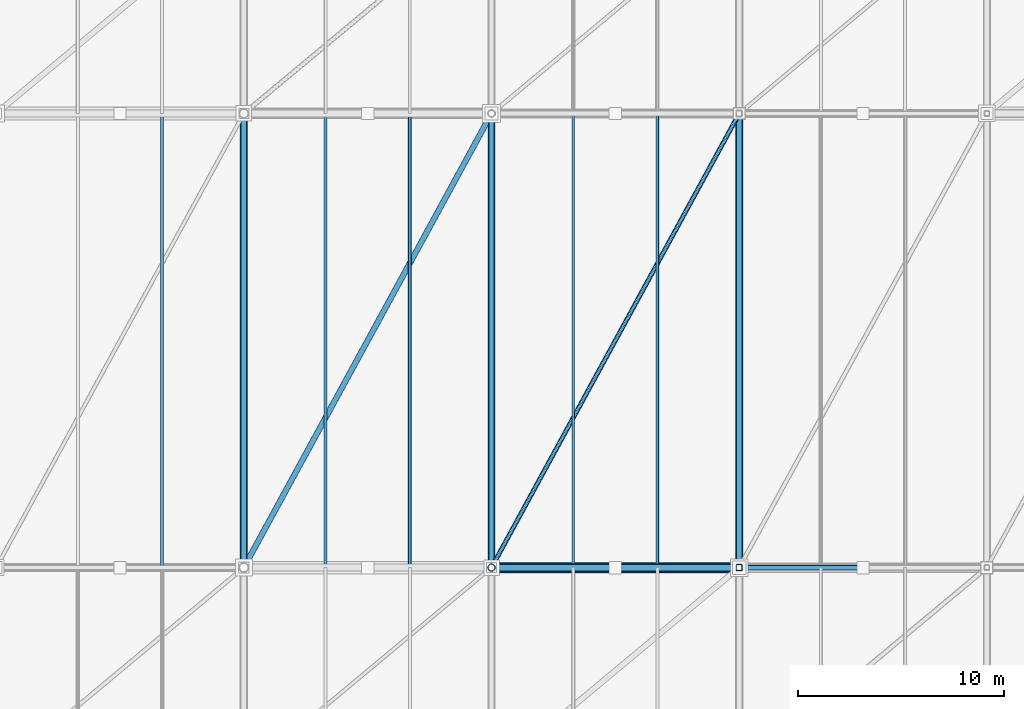
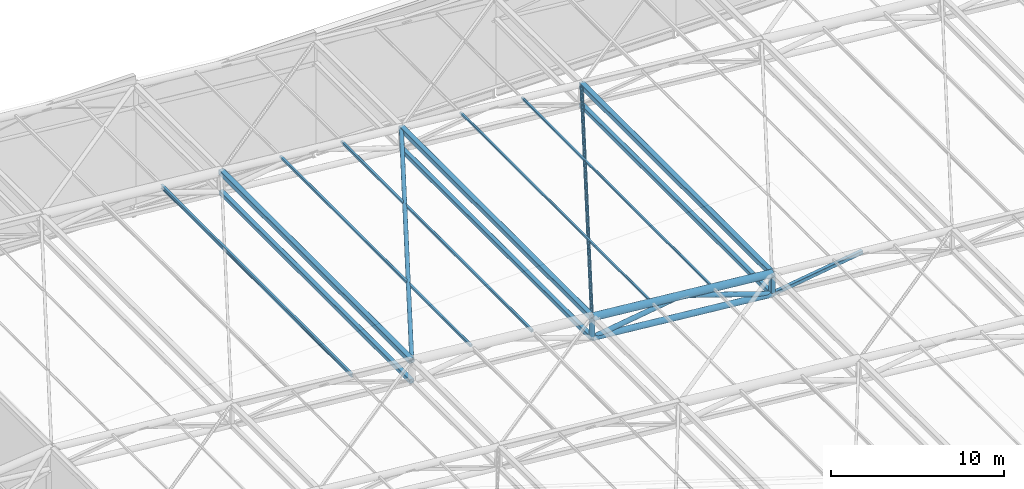
# One storey, part 29 of 44: 20 members.
"""IFC4 building model written with IfcOpenShell, lengths in metres."""

from ifc_helpers import new_model, si_unit, direction, frame, origin, origin_2d, place, context, subcontext, project, spatial, hollow_rectangle, hollow_circle, i_section, extrude, material, material_profile, profile_set, type_object, element, save


model = new_model("IFC4")

# Units and contexts
model_context = context("Model", 3, precision=1e-05, world=origin(), true_north=direction((0.0, 1.0)))
body_context = subcontext(model_context, "Body", "Model", "MODEL_VIEW")
ifc_project = project(units=[si_unit("LENGTHUNIT", "METRE"), si_unit("AREAUNIT", "SQUARE_METRE"), si_unit("VOLUMEUNIT", "CUBIC_METRE"), si_unit("PLANEANGLEUNIT", "RADIAN"), si_unit("MASSUNIT", "GRAM", prefix="KILO")], contexts=[model_context])

# Site, building, storey
site_placement = place(None, origin())
site = spatial("IfcSite", under=ifc_project, at=site_placement, CompositionType="ELEMENT")
building_placement = place(site_placement, origin())
building = spatial("IfcBuilding", under=site, at=building_placement, Name="Brinegate Civic Arena", CompositionType="ELEMENT")
storey_placement = place(building_placement, frame((0.0, 0.0, 29.39990234375)))
storey = spatial("IfcBuildingStorey", under=building, at=storey_placement, Name="RF", CompositionType="ELEMENT", Elevation=29.39990234375)

# Members
ifc_material = material(Name="Steel S355", Category="steel")
ifc_material_profile_1 = material_profile(ifc_material, hollow_rectangle(XDim=0.139892578125, YDim=0.139892578125, WallThickness=0.008056640625, InnerFilletRadius=0.008056640625, OuterFilletRadius=0.01611328125, at=origin_2d()), Name="SHS140X8")
ifc_profile_set_1 = profile_set([ifc_material_profile_1], Name="Steel S355")
member_type_1 = type_object("IfcMemberType", Name="RF-PURLIN-SHS140", PredefinedType="PURLIN", material=ifc_profile_set_1)
for number, where, z_axis, x_axis, name in (
    (1, (99.9599609375, 82.0, 6.84912109375), (0.0, 1.0, 0.0), (-1.0, 0.0, 0.0), "Roof Purlin RFP-099"),
    (2, (104.0400390625, 82.0, 6.466064453125), (0.0, 1.0, 0.0), (-1.0, 0.0, 0.0), "Roof Purlin RFP-100"),
):
    element("IfcMember", number, at=place(storey_placement, frame(where, z_axis=z_axis, x_axis=x_axis)), inside=storey, type_object=member_type_1, Name=name, PredefinedType="PURLIN", context=body_context, shape_type="SweptSolid", body=[
        extrude(hollow_rectangle(XDim=0.139892578125, YDim=0.139892578125, WallThickness=0.008056640625, InnerFilletRadius=0.008056640625, OuterFilletRadius=0.01611328125, at=origin_2d()), origin(), (0.0, 0.0, 1.0), 22.0),
    ])
ifc_material_profile_2 = material_profile(ifc_material, hollow_rectangle(XDim=0.159912109375, YDim=0.159912109375, WallThickness=0.008056640625, InnerFilletRadius=0.008056640625, OuterFilletRadius=0.01611328125, at=origin_2d()), Name="SHS160X8")
ifc_profile_set_2 = profile_set([ifc_material_profile_2], Name="Steel S355")
member_type_2 = type_object("IfcMemberType", Name="RF-PURLIN-SHS160", PredefinedType="PURLIN", material=ifc_profile_set_2)
for number, where, z_axis, x_axis, name in (
    (3, (87.9599609375, 82.0, 7.964111328125), (0.0, 1.0, 0.0), (-1.0, 0.0, 0.0), "Roof Purlin RFP-097"),
    (4, (92.0400390625, 82.0, 7.5810546875), (0.0, 1.0, 0.0), (-1.0, 0.0, 0.0), "Roof Purlin RFP-098"),
):
    element("IfcMember", number, at=place(storey_placement, frame(where, z_axis=z_axis, x_axis=x_axis)), inside=storey, type_object=member_type_2, Name=name, PredefinedType="PURLIN", context=body_context, shape_type="SweptSolid", body=[
        extrude(hollow_rectangle(XDim=0.159912109375, YDim=0.159912109375, WallThickness=0.008056640625, InnerFilletRadius=0.008056640625, OuterFilletRadius=0.01611328125, at=origin_2d()), origin(), (0.0, 0.0, 1.0), 22.0),
    ])
ifc_material_profile_3 = material_profile(ifc_material, i_section(OverallWidth=0.14794921875, OverallDepth=0.26611328125, WebThickness=0.008056640625, FlangeThickness=0.012939453125, FilletRadius=0.011962890625, at=origin_2d()), Name="W250X45")
ifc_profile_set_3 = profile_set([ifc_material_profile_3], Name="Steel S355")
member_type_3 = type_object("IfcMemberType", Name="RF-PURLIN-W250", PredefinedType="PURLIN", material=ifc_profile_set_3)
member_1_placement = place(storey_placement, frame((80.0400390625, 82.0, 8.653076171875), z_axis=(0.0, 1.0, 0.0), x_axis=(-1.0, 0.0, 0.0)))
element("IfcMember", 5, at=member_1_placement, inside=storey, type_object=member_type_3, Name="Roof Purlin RFP-096", PredefinedType="PURLIN", context=body_context, shape_type="SweptSolid", body=[
    extrude(i_section(OverallWidth=0.14794921875, OverallDepth=0.26611328125, WebThickness=0.008056640625, FlangeThickness=0.012939453125, FilletRadius=0.011962890625, at=origin_2d()), origin(), (0.0, 0.0, 1.0), 22.0),
])
ifc_material_profile_4 = material_profile(ifc_material, hollow_circle(Radius=0.109619140625, WallThickness=0.010009765625, at=origin_2d()), Name="CHS219X10")
ifc_profile_set_4 = profile_set([ifc_material_profile_4], Name="Steel S355")
member_type_4 = type_object("IfcMemberType", Name="SF-BRACE-CHS219", PredefinedType="BRACE", material=ifc_profile_set_4)
member_2_placement = place(storey_placement, frame((96.0, 82.0, 7.175048828125), z_axis=(0.478370337109, 0.877012284699, -0.044847219104), x_axis=(-0.877895572914, 0.478852130681, 0.0)))
element("IfcMember", 6, at=member_2_placement, inside=storey, type_object=member_type_4, Name="Roof Plan Diagonal Brace PL-6-5", PredefinedType="BRACE", context=body_context, shape_type="SweptSolid", body=[
    extrude(hollow_circle(Radius=0.109619140625, WallThickness=0.010009765625, at=origin_2d()), origin(), (0.0, 0.0, 1.0), 25.085205078125),
])
ifc_material_profile_5 = material_profile(ifc_material, hollow_circle(Radius=0.136474609375, WallThickness=0.011962890625, at=origin_2d()), Name="CHS273X12")
ifc_profile_set_5 = profile_set([ifc_material_profile_5], Name="Steel S355")
member_type_5 = type_object("IfcMemberType", Name="SF-BRACE-CHS273", PredefinedType="BRACE", material=ifc_profile_set_5)
member_3_placement = place(storey_placement, frame((84.0, 82.0, 8.300048828125), z_axis=(0.478370337109, 0.877012284699, -0.044847219104), x_axis=(-0.877895572914, 0.478852130681, 0.0)))
element("IfcMember", 7, at=member_3_placement, inside=storey, type_object=member_type_5, Name="Roof Plan Diagonal Brace PL-6-4", PredefinedType="BRACE", context=body_context, shape_type="SweptSolid", body=[
    extrude(hollow_circle(Radius=0.136474609375, WallThickness=0.011962890625, at=origin_2d()), origin(), (0.0, 0.0, 1.0), 25.085205078125),
])
ifc_material_profile_6 = material_profile(ifc_material, hollow_circle(Radius=0.162109375, WallThickness=0.011962890625, at=origin_2d()), Name="CHS324X12")
ifc_profile_set_6 = profile_set([ifc_material_profile_6], Name="Steel S355")
member_type_6 = type_object("IfcMemberType", Name="SF-BRACE-CHS324", PredefinedType="BRACE", material=ifc_profile_set_6)
member_4_placement = place(storey_placement, frame((96.0, 82.0, 5.72509765625), z_axis=(0.989226142737, 0.0, 0.1463954867), x_axis=(0.0, 1.0, 0.0)))
element("IfcMember", 8, at=member_4_placement, inside=storey, type_object=member_type_6, Name="Space Frame Web Brace D1-6-5", PredefinedType="BRACE", context=body_context, shape_type="SweptSolid", body=[
    extrude(hollow_circle(Radius=0.162109375, WallThickness=0.011962890625, at=origin_2d()), origin(), (0.0, 0.0, 1.0), 6.0654296875),
])
member_5_placement = place(storey_placement, frame((102.0, 82.0, 6.613037109375), z_axis=(0.948068139281, 0.0, -0.318067293635), x_axis=(0.0, 1.0, 0.0)))
element("IfcMember", 9, at=member_5_placement, inside=storey, type_object=member_type_6, Name="Space Frame Web Brace D2-6-5", PredefinedType="BRACE", context=body_context, shape_type="SweptSolid", body=[
    extrude(hollow_circle(Radius=0.162109375, WallThickness=0.011962890625, at=origin_2d()), origin(), (0.0, 0.0, 1.0), 6.32861328125),
])
ifc_material_profile_7 = material_profile(ifc_material, hollow_rectangle(XDim=0.25, YDim=0.25, WallThickness=0.011962890625, InnerFilletRadius=0.011962890625, OuterFilletRadius=0.02392578125, at=origin_2d()), Name="SHS250X12")
ifc_profile_set_7 = profile_set([ifc_material_profile_7], Name="Steel S355")
member_type_7 = type_object("IfcMemberType", Name="SF-BRACE-SHS250", PredefinedType="BRACE", material=ifc_profile_set_7)
member_6_placement = place(storey_placement, frame((108.0, 82.0, 4.60009765625), z_axis=(0.989226142737, 0.0, 0.1463954867), x_axis=(0.0, 1.0, 0.0)))
element("IfcMember", 10, at=member_6_placement, inside=storey, type_object=member_type_7, Name="Space Frame Web Brace D1-6-6", PredefinedType="BRACE", context=body_context, shape_type="SweptSolid", body=[
    extrude(hollow_rectangle(XDim=0.25, YDim=0.25, WallThickness=0.011962890625, InnerFilletRadius=0.011962890625, OuterFilletRadius=0.02392578125, at=origin_2d()), origin(), (0.0, 0.0, 1.0), 6.0654296875),
])
ifc_material_profile_8 = material_profile(ifc_material, hollow_circle(Radius=0.202880859375, WallThickness=0.01611328125, at=origin_2d()), Name="CHS406X16")
ifc_profile_set_8 = profile_set([ifc_material_profile_8], Name="Steel S355")
member_type_8 = type_object("IfcMemberType", Name="SF-CHORD-CHS406", PredefinedType="CHORD", material=ifc_profile_set_8)
member_7_placement = place(storey_placement, frame((96.0, 82.0, 5.72509765625), z_axis=(0.995634226059, 0.0, -0.093340708693), x_axis=(0.0, 1.0, 0.0)))
element("IfcMember", 11, at=member_7_placement, inside=storey, type_object=member_type_8, Name="Space Frame Bottom Chord BX-6-5", PredefinedType="CHORD", context=body_context, shape_type="SweptSolid", body=[
    extrude(hollow_circle(Radius=0.202880859375, WallThickness=0.01611328125, at=origin_2d()), origin(), (0.0, 0.0, 1.0), 12.052734375),
])
ifc_material_profile_9 = material_profile(ifc_material, hollow_circle(Radius=0.25390625, WallThickness=0.02001953125, at=origin_2d()), Name="CHS508X20")
ifc_profile_set_9 = profile_set([ifc_material_profile_9], Name="Steel S355")
member_type_9 = type_object("IfcMemberType", Name="SF-CHORD-CHS508", PredefinedType="CHORD", material=ifc_profile_set_9)
member_8_placement = place(storey_placement, frame((96.0, 82.0, 7.175048828125), z_axis=(0.995634226059, 0.0, -0.093340708693), x_axis=(0.0, 1.0, 0.0)))
element("IfcMember", 12, at=member_8_placement, inside=storey, type_object=member_type_9, Name="Space Frame Top Chord TX-6-5", PredefinedType="CHORD", context=body_context, shape_type="SweptSolid", body=[
    extrude(hollow_circle(Radius=0.25390625, WallThickness=0.02001953125, at=origin_2d()), origin(), (0.0, 0.0, 1.0), 12.052734375),
])
ifc_material_profile_10 = material_profile(ifc_material, hollow_rectangle(XDim=0.300048828125, YDim=0.300048828125, WallThickness=0.01611328125, InnerFilletRadius=0.01611328125, OuterFilletRadius=0.031982421875, at=origin_2d()), Name="SHS300X16")
ifc_profile_set_10 = profile_set([ifc_material_profile_10], Name="Steel S355")
member_type_10 = type_object("IfcMemberType", Name="SF-CHORD-SHS300", PredefinedType="CHORD", material=ifc_profile_set_10)
for number, where, z_axis, x_axis, name in (
    (13, (84.0, 82.0, 6.85009765625), (0.0, 1.0, 0.0), (-1.0, 0.0, 0.0), "Space Frame Cross Bottom Chord BY-6-4"),
    (14, (96.0, 82.0, 5.72509765625), (0.0, 1.0, 0.0), (-1.0, 0.0, 0.0), "Space Frame Cross Bottom Chord BY-6-5"),
    (15, (108.0, 82.0, 4.60009765625), (0.0, 1.0, 0.0), (-1.0, 0.0, 0.0), "Space Frame Cross Bottom Chord BY-6-6"),
):
    element("IfcMember", number, at=place(storey_placement, frame(where, z_axis=z_axis, x_axis=x_axis)), inside=storey, type_object=member_type_10, Name=name, PredefinedType="CHORD", context=body_context, shape_type="SweptSolid", body=[
        extrude(hollow_rectangle(XDim=0.300048828125, YDim=0.300048828125, WallThickness=0.01611328125, InnerFilletRadius=0.01611328125, OuterFilletRadius=0.031982421875, at=origin_2d()), origin(), (0.0, 0.0, 1.0), 22.0),
    ])
ifc_material_profile_11 = material_profile(ifc_material, hollow_rectangle(XDim=0.35009765625, YDim=0.35009765625, WallThickness=0.01611328125, InnerFilletRadius=0.01611328125, OuterFilletRadius=0.031982421875, at=origin_2d()), Name="SHS350X16")
ifc_profile_set_11 = profile_set([ifc_material_profile_11], Name="Steel S355")
member_type_11 = type_object("IfcMemberType", Name="SF-CHORD-SHS350", PredefinedType="CHORD", material=ifc_profile_set_11)
for number, where, z_axis, x_axis, name in (
    (16, (84.0, 82.0, 8.300048828125), (0.0, 1.0, 0.0), (-1.0, 0.0, 0.0), "Space Frame Cross Top Chord TY-6-4"),
    (17, (96.0, 82.0, 7.175048828125), (0.0, 1.0, 0.0), (-1.0, 0.0, 0.0), "Space Frame Cross Top Chord TY-6-5"),
    (18, (108.0, 82.0, 6.050048828125), (0.0, 1.0, 0.0), (-1.0, 0.0, 0.0), "Space Frame Cross Top Chord TY-6-6"),
):
    element("IfcMember", number, at=place(storey_placement, frame(where, z_axis=z_axis, x_axis=x_axis)), inside=storey, type_object=member_type_11, Name=name, PredefinedType="CHORD", context=body_context, shape_type="SweptSolid", body=[
        extrude(hollow_rectangle(XDim=0.35009765625, YDim=0.35009765625, WallThickness=0.01611328125, InnerFilletRadius=0.01611328125, OuterFilletRadius=0.031982421875, at=origin_2d()), origin(), (0.0, 0.0, 1.0), 22.0),
    ])
ifc_material_profile_12 = material_profile(ifc_material, hollow_circle(Radius=0.177978515625, WallThickness=0.013916015625, at=origin_2d()), Name="CHS356X14")
ifc_profile_set_12 = profile_set([ifc_material_profile_12], Name="Steel S355")
member_type_12 = type_object("IfcMemberType", Name="SF-STRUT-CHS356", PredefinedType="STRUT", material=ifc_profile_set_12)
member_9_placement = place(storey_placement, frame((96.0, 82.0, 5.72509765625), z_axis=(0.0, 0.0, 1.0), x_axis=(1.0, 0.0, 0.0)))
element("IfcMember", 19, at=member_9_placement, inside=storey, type_object=member_type_12, Name="Space Frame Vertical Post V-6-5", PredefinedType="STRUT", context=body_context, shape_type="SweptSolid", body=[
    extrude(hollow_circle(Radius=0.177978515625, WallThickness=0.013916015625, at=origin_2d()), origin(), (0.0, 0.0, 1.0), 1.449951171875),
])
ifc_material_profile_13 = material_profile(ifc_material, hollow_rectangle(XDim=0.300048828125, YDim=0.300048828125, WallThickness=0.01611328125, InnerFilletRadius=0.01611328125, OuterFilletRadius=0.031982421875, at=origin_2d()), Name="SHS300X16")
ifc_profile_set_13 = profile_set([ifc_material_profile_13], Name="Steel S355")
member_type_13 = type_object("IfcMemberType", Name="SF-STRUT-SHS300", PredefinedType="STRUT", material=ifc_profile_set_13)
member_10_placement = place(storey_placement, frame((108.0, 82.0, 4.60009765625), z_axis=(0.0, 0.0, 1.0), x_axis=(1.0, 0.0, 0.0)))
element("IfcMember", 20, at=member_10_placement, inside=storey, type_object=member_type_13, Name="Space Frame Vertical Post V-6-6", PredefinedType="STRUT", context=body_context, shape_type="SweptSolid", body=[
    extrude(hollow_rectangle(XDim=0.300048828125, YDim=0.300048828125, WallThickness=0.01611328125, InnerFilletRadius=0.01611328125, OuterFilletRadius=0.031982421875, at=origin_2d()), origin(), (0.0, 0.0, 1.0), 1.449951171875),
])

save(model, "model.ifc")
